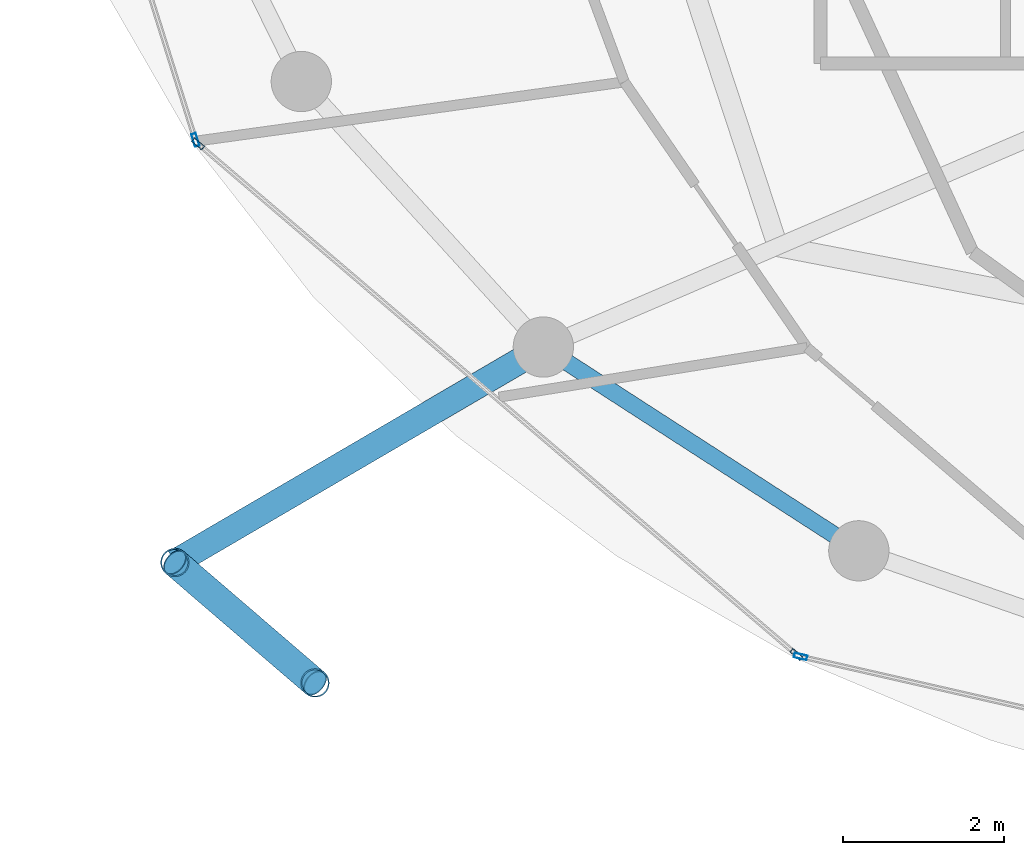
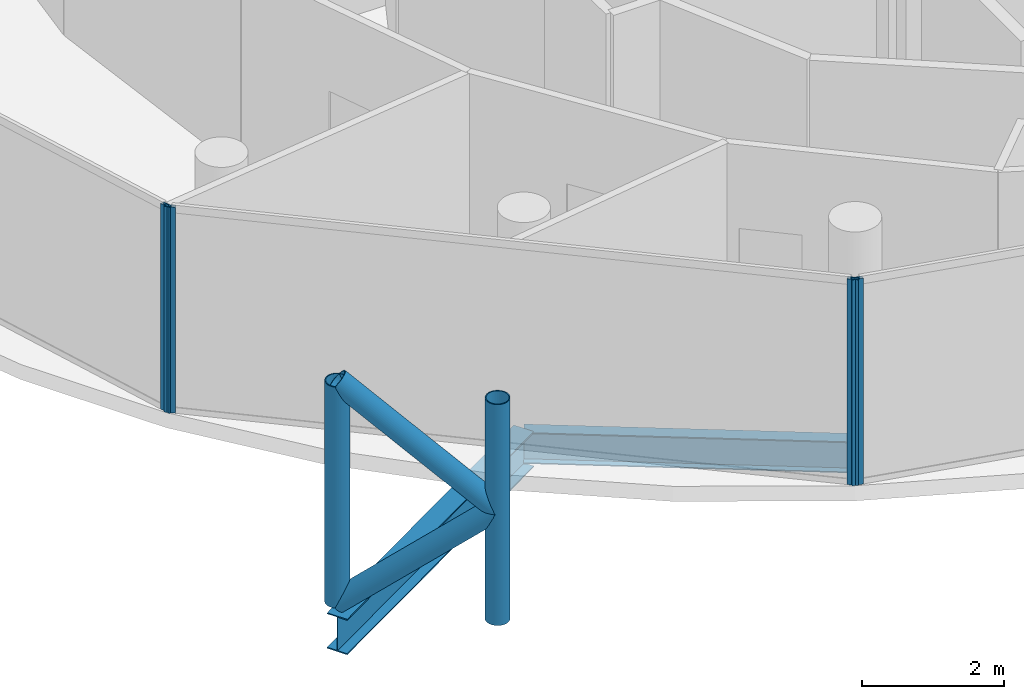
# One storey, part 2 of 24: 8 members, 2 beams, 3 elements without a shape of their own.
"""IFC4 building model written with IfcOpenShell, lengths in metres."""

from ifc_helpers import new_model, si_unit, direction, frame, origin, origin_2d, place, context, subcontext, project, spatial, hollow_rectangle, hollow_circle, i_section, extrude, material, layer, layer_set, material_profile, profile_set, type_object, element, aggregate, save


model = new_model("IFC4")

# Units and contexts
model_context = context("Model", 3, precision=1e-05, world=origin(), true_north=direction((0.0, 1.0)))
body_context = subcontext(model_context, "Body", "Model", "MODEL_VIEW")
ifc_project = project(units=[si_unit("LENGTHUNIT", "METRE"), si_unit("AREAUNIT", "SQUARE_METRE"), si_unit("VOLUMEUNIT", "CUBIC_METRE"), si_unit("PLANEANGLEUNIT", "RADIAN"), si_unit("MASSUNIT", "GRAM", prefix="KILO")], contexts=[model_context])

# Site, building, storey
site_placement = place(None, origin())
site = spatial("IfcSite", under=ifc_project, at=site_placement, CompositionType="ELEMENT")
building_placement = place(site_placement, origin())
building = spatial("IfcBuilding", under=site, at=building_placement, Name="Nuhasar Tower", CompositionType="ELEMENT")
storey_placement = place(building_placement, frame((0.0, 0.0, 270.800048828125)))
storey = spatial("IfcBuildingStorey", under=building, at=storey_placement, Name="L67", CompositionType="ELEMENT", Elevation=270.800048828125)

# Beams
ifc_material_1 = material(Name="Steel S355", Category="steel")
ifc_material_profile_1 = material_profile(ifc_material_1, i_section(OverallWidth=0.2099609375, OverallDepth=0.537109375, WebThickness=0.010986328125, FlangeThickness=0.017333984375, at=origin_2d()), Name="W21X68")
ifc_profile_set_1 = profile_set([ifc_material_profile_1], Name="Steel S355")
beam_type_1 = type_object("IfcBeamType", Name="BM-RING-W21X68", PredefinedType="SPANDREL", material=ifc_profile_set_1)
beam_1_placement = place(storey_placement, frame((25.60009765625, 15.52197265625, -0.528076171875), z_axis=(0.840025485934, -0.542546940809, 0.0), x_axis=(0.542546940809, 0.840025485934, 0.0)))
element("IfcBeam", 1, at=beam_1_placement, inside=storey, type_object=beam_type_1, Name="L67 Perimeter Ring Spandrel 16", PredefinedType="SPANDREL", context=body_context, shape_type="SweptSolid", body=[
    extrude(i_section(OverallWidth=0.2099609375, OverallDepth=0.537109375, WebThickness=0.010986328125, FlangeThickness=0.017333984375, at=origin_2d()), origin(), (0.0, 0.0, 1.0), 4.67236328125),
])
ifc_material_profile_2 = material_profile(ifc_material_1, i_section(OverallWidth=0.323974609375, OverallDepth=0.611083984375, WebThickness=0.0126953125, FlangeThickness=0.01904296875, at=origin_2d()), Name="W24X104")
ifc_profile_set_2 = profile_set([ifc_material_profile_2], Name="Steel S355")
beam_type_2 = type_object("IfcBeamType", Name="BM-TIE-W24X104", PredefinedType="BEAM", material=ifc_profile_set_2)
beam_2_placement = place(storey_placement, frame((25.60009765625, 15.52197265625, -0.56494140625), z_axis=(-0.863291554686, -0.504705549413, 0.0), x_axis=(0.504705549413, -0.863291554686, 0.0)))
element("IfcBeam", 2, at=beam_2_placement, inside=storey, type_object=beam_type_2, Name="L67 Exoskeleton Node Tie Beam 08", PredefinedType="BEAM", context=body_context, shape_type="SweptSolid", body=[
    extrude(i_section(OverallWidth=0.323974609375, OverallDepth=0.611083984375, WebThickness=0.0126953125, FlangeThickness=0.01904296875, at=origin_2d()), origin(), (0.0, 0.0, 1.0), 5.309814453125),
])

# Curtain wall, member
ifc_material_2 = material(Name="Aluminium 6063-T6", Category="aluminium")
ifc_layer = layer(ifc_material_2, 0.18994140625)
ifc_layer_set = layer_set([ifc_layer], Name="Aluminium 6063-T6")
curtain_wall_type = type_object("IfcCurtainWallType", Name="CW-Z4-PEN", PredefinedType="NOTDEFINED", material=ifc_layer_set)
curtain_wall_1_placement = place(storey_placement, origin())
curtain_wall_1 = element("IfcCurtainWall", 3, at=curtain_wall_1_placement, inside=storey, type_object=curtain_wall_type, Name="L67 Unitised Curtain Wall 07", PredefinedType="NOTDEFINED")
ifc_material_profile_3 = material_profile(ifc_material_2, hollow_rectangle(XDim=0.06005859375, YDim=0.1650390625, WallThickness=0.0048828125, at=origin_2d()), Name="CWM-5")
ifc_profile_set_3 = profile_set([ifc_material_profile_3], Name="Aluminium 6063-T6")
member_type_1 = type_object("IfcMemberType", Name="CW-MUL-S5", PredefinedType="MULLION", material=ifc_profile_set_3)
member_1_placement = place(storey_placement, frame((21.27197265625, 18.0986328125, 0.0), z_axis=(0.0, 0.0, 1.0), x_axis=(0.954078526601, 0.299556614146, 0.0)))
member_1 = element("IfcMember", 4, at=member_1_placement, type_object=member_type_1, Name="CW-Z4 mullion 2", PredefinedType="MULLION", context=body_context, shape_type="SweptSolid", body=[
    extrude(hollow_rectangle(XDim=0.06005859375, YDim=0.1650390625, WallThickness=0.0048828125, at=origin_2d()), origin(), (0.0, 0.0, 1.0), 3.5400390625),
])
aggregate(curtain_wall_1, [member_1])

# Curtain wall, members
curtain_wall_2_placement = place(storey_placement, origin())
curtain_wall_2 = element("IfcCurtainWall", 5, at=curtain_wall_2_placement, inside=storey, type_object=curtain_wall_type, Name="L67 Unitised Curtain Wall 08", PredefinedType="NOTDEFINED")
member_2_placement = place(storey_placement, frame((21.3037109375, 18.050537109375, 0.0), z_axis=(0.0, 0.0, 1.0), x_axis=(0.649141996205, 0.760667252327, 0.0)))
member_2 = element("IfcMember", 6, at=member_2_placement, type_object=member_type_1, Name="CW-Z4 mullion 1", PredefinedType="MULLION", context=body_context, shape_type="SweptSolid", body=[
    extrude(hollow_rectangle(XDim=0.06005859375, YDim=0.1650390625, WallThickness=0.0048828125, at=origin_2d()), origin(), (0.0, 0.0, 1.0), 3.5400390625),
])
member_3_placement = place(storey_placement, frame((28.7470703125, 11.698486328125, 0.0), z_axis=(0.0, 0.0, 1.0), x_axis=(0.649141996205, 0.760667252327, 0.0)))
member_3 = element("IfcMember", 7, at=member_3_placement, type_object=member_type_1, Name="CW-Z4 mullion 2", PredefinedType="MULLION", context=body_context, shape_type="SweptSolid", body=[
    extrude(hollow_rectangle(XDim=0.06005859375, YDim=0.1650390625, WallThickness=0.0048828125, at=origin_2d()), origin(), (0.0, 0.0, 1.0), 3.5400390625),
])
aggregate(curtain_wall_2, [member_2, member_3])

# Curtain wall, member
curtain_wall_3_placement = place(storey_placement, origin())
curtain_wall_3 = element("IfcCurtainWall", 8, at=curtain_wall_3_placement, inside=storey, type_object=curtain_wall_type, Name="L67 Unitised Curtain Wall 09", PredefinedType="NOTDEFINED")
member_4_placement = place(storey_placement, frame((28.79931640625, 11.67236328125, 0.0), z_axis=(0.0, 0.0, 1.0), x_axis=(0.222889487645, 0.97484371891, 0.0)))
member_4 = element("IfcMember", 9, at=member_4_placement, type_object=member_type_1, Name="CW-Z4 mullion 1", PredefinedType="MULLION", context=body_context, shape_type="SweptSolid", body=[
    extrude(hollow_rectangle(XDim=0.06005859375, YDim=0.1650390625, WallThickness=0.0048828125, at=origin_2d()), origin(), (0.0, 0.0, 1.0), 3.5400390625),
])
aggregate(curtain_wall_3, [member_4])

# Members
ifc_material_3 = material(Name="Steel S460", Category="steel")
ifc_material_profile_4 = material_profile(ifc_material_3, hollow_circle(Radius=0.177734375, WallThickness=0.015869140625, at=origin_2d()), Name="HSS355.6X15.9")
ifc_profile_set_4 = profile_set([ifc_material_profile_4], Name="Steel S460")
member_type_2 = type_object("IfcMemberType", Name="EXO-BRONZE-356", PredefinedType="BRACE", material=ifc_profile_set_4)
for number, where, z_axis, x_axis, name in (
    (10, (21.01611328125, 12.842041015625, 0.0), (0.0, 0.0, 1.0), (1.0, 0.0, 0.0), "L67 Exoskeleton Chord Column EC-08A"),
    (11, (22.760009765625, 11.343017578125, 0.0), (0.0, 0.0, 1.0), (1.0, 0.0, 0.0), "L67 Exoskeleton Chord Column EC-08B"),
):
    element("IfcMember", number, at=place(storey_placement, frame(where, z_axis=z_axis, x_axis=x_axis)), inside=storey, type_object=member_type_2, Name=name, PredefinedType="BRACE", context=body_context, shape_type="SweptSolid", body=[
        extrude(hollow_circle(Radius=0.177734375, WallThickness=0.015869140625, at=origin_2d()), origin(), (0.0, 0.0, 1.0), 3.800048828125),
    ])
member_5_placement = place(storey_placement, frame((21.01611328125, 12.842041015625, 0.0), z_axis=(0.584625223306, -0.502533791278, 0.636924749792), x_axis=(0.65185738425, 0.758341579104, 0.0)))
element("IfcMember", 12, at=member_5_placement, inside=storey, type_object=member_type_2, Name="L67 Bronze Diagrid Brace W1-08", PredefinedType="BRACE", context=body_context, shape_type="SweptSolid", body=[
    extrude(hollow_circle(Radius=0.177734375, WallThickness=0.015869140625, at=origin_2d()), origin(), (0.0, 0.0, 1.0), 2.98291015625),
])
member_6_placement = place(storey_placement, frame((22.760009765625, 11.343017578125, 1.89990234375), z_axis=(-0.584594747408, 0.50250759472, 0.636973389203), x_axis=(-0.65185738425, -0.758341579104, 0.0)))
element("IfcMember", 13, at=member_6_placement, inside=storey, type_object=member_type_2, Name="L67 Bronze Diagrid Brace W2-08", PredefinedType="BRACE", context=body_context, shape_type="SweptSolid", body=[
    extrude(hollow_circle(Radius=0.177734375, WallThickness=0.015869140625, at=origin_2d()), origin(), (0.0, 0.0, 1.0), 2.983154296875),
])

save(model, "model.ifc")
